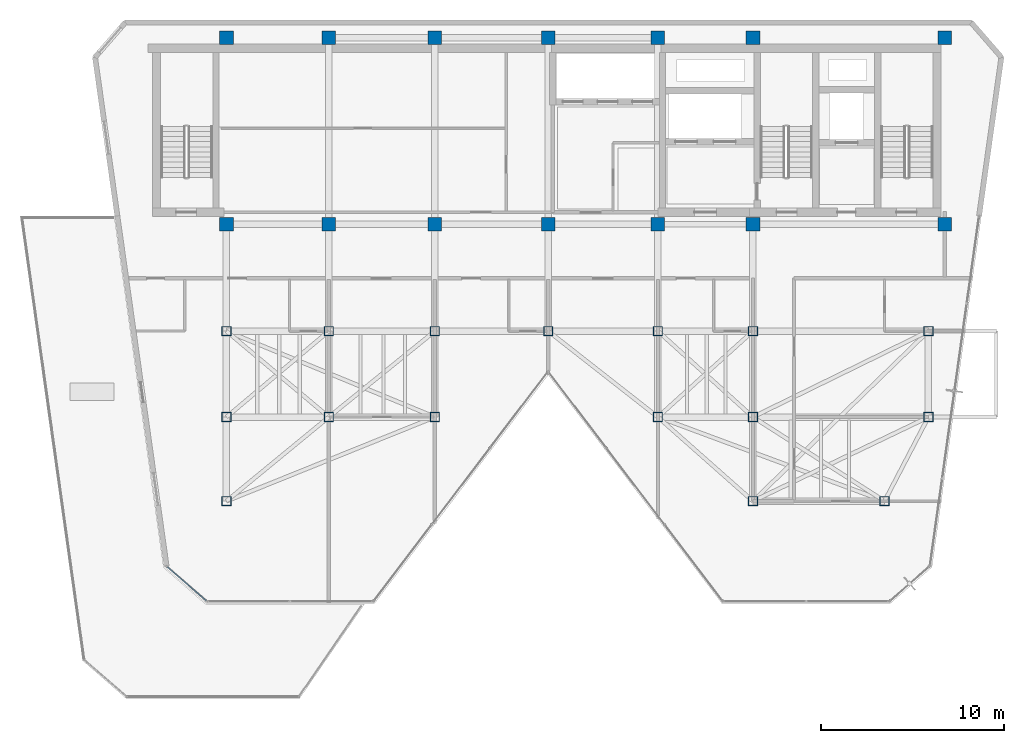
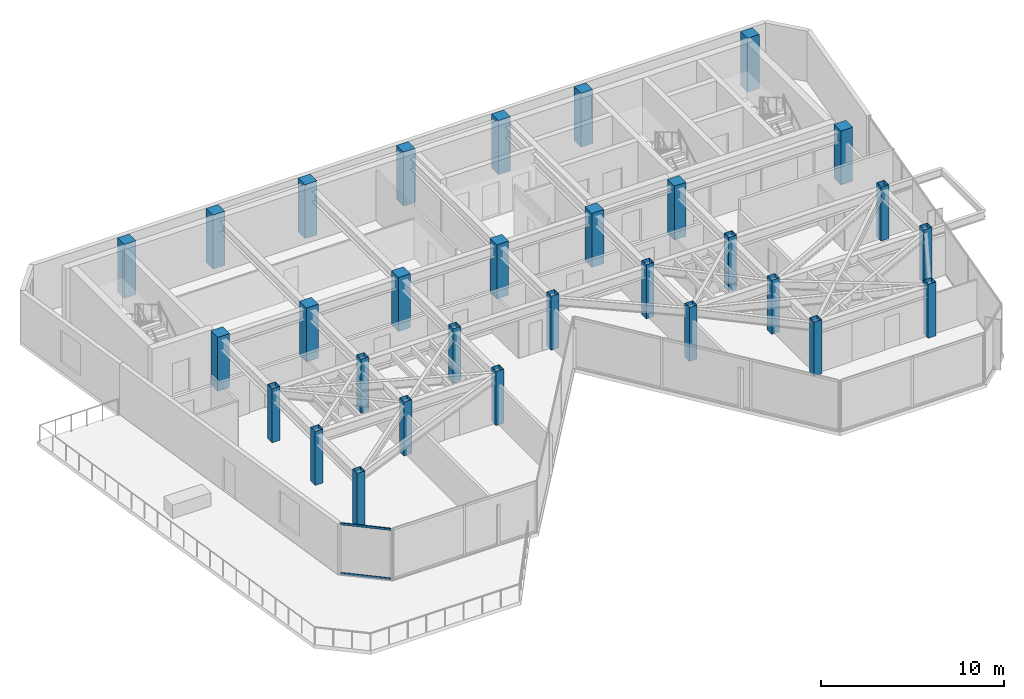
# One storey, part 1 of 21: 30 columns, 2 members, 1 element without a shape of its own.
"""IFC4 building model written with IfcOpenShell, lengths in metres."""

from ifc_helpers import new_model, si_unit, direction, frame, origin, origin_2d, place, context, subcontext, project, spatial, rectangle, hollow_rectangle, extrude, material, layer, layer_set, material_profile, profile_set, type_object, element, aggregate, save


model = new_model("IFC4")

# Units and contexts
model_context = context("Model", 3, precision=1e-05, world=origin(), true_north=direction((0.0, 1.0)))
body_context = subcontext(model_context, "Body", "Model", "MODEL_VIEW")
ifc_project = project(units=[si_unit("LENGTHUNIT", "METRE"), si_unit("AREAUNIT", "SQUARE_METRE"), si_unit("VOLUMEUNIT", "CUBIC_METRE"), si_unit("PLANEANGLEUNIT", "RADIAN"), si_unit("MASSUNIT", "GRAM", prefix="KILO")], contexts=[model_context])

# Site, building, storey
site_placement = place(None, origin())
site = spatial("IfcSite", under=ifc_project, at=site_placement, CompositionType="ELEMENT")
building_placement = place(site_placement, origin())
building = spatial("IfcBuilding", under=site, at=building_placement, Name="Kravanh Interchange Tower", CompositionType="ELEMENT")
storey_placement = place(building_placement, frame((0.0, 0.0, 231.0)))
storey = spatial("IfcBuildingStorey", under=building, at=storey_placement, Name="L55", CompositionType="ELEMENT", Elevation=231.0)

# Columns
ifc_material_1 = material(Name="Structural Steel S355", Category="steel")
ifc_material_profile_1 = material_profile(ifc_material_1, hollow_rectangle(XDim=0.5, YDim=0.5, WallThickness=0.02001953125, at=origin_2d()), Name="HSS500X500X20")
ifc_profile_set_1 = profile_set([ifc_material_profile_1], Name="Structural Steel S355")
column_type_1 = type_object("IfcColumnType", Name="Column HSS500X500X20 Structural Steel S355", PredefinedType="COLUMN", material=ifc_profile_set_1)
for number, where, z_axis, x_axis, name in (
    (1, (44.800048828125, 31.5, 0.0), (0.0, 0.0, 1.0), (1.0, 0.0, 0.0), "L55 Column CH_E1"),
    (2, (50.800048828125, 31.5, 0.0), (0.0, 0.0, 1.0), (1.0, 0.0, 0.0), "L55 Column CH_E2"),
    (3, (56.0, 31.5, 0.0), (0.0, 0.0, 1.0), (1.0, 0.0, 0.0), "L55 Column CH_E3"),
    (4, (65.60009765625, 31.5, 0.0), (0.0, 0.0, 1.0), (1.0, 0.0, 0.0), "L55 Column CH_E4"),
    (5, (38.60009765625, 31.5, 0.0), (0.0, 0.0, 1.0), (1.0, 0.0, 0.0), "L55 Column CH_E5"),
    (6, (32.800048828125, 31.5, 0.0), (0.0, 0.0, 1.0), (1.0, 0.0, 0.0), "L55 Column CH_E6"),
    (7, (27.199951171875, 31.5, 0.0), (0.0, 0.0, 1.0), (1.0, 0.0, 0.0), "L55 Column CH_E7"),
    (8, (38.60009765625, 26.800048828125, 0.0), (0.0, 0.0, 1.0), (1.0, 0.0, 0.0), "L55 Column CH_S1"),
    (9, (50.800048828125, 26.800048828125, 0.0), (0.0, 0.0, 1.0), (1.0, 0.0, 0.0), "L55 Column CH_S2"),
    (10, (56.0, 26.800048828125, 0.0), (0.0, 0.0, 1.0), (1.0, 0.0, 0.0), "L55 Column CH_S3"),
    (11, (65.60009765625, 26.800048828125, 0.0), (0.0, 0.0, 1.0), (1.0, 0.0, 0.0), "L55 Column CH_S4"),
    (12, (56.0, 22.199951171875, 0.0), (0.0, 0.0, 1.0), (1.0, 0.0, 0.0), "L55 Column CH_S5"),
    (13, (63.199951171875, 22.199951171875, 0.0), (0.0, 0.0, 1.0), (1.0, 0.0, 0.0), "L55 Column CH_S6"),
    (14, (27.199951171875, 22.199951171875, 0.0), (0.0, 0.0, 1.0), (1.0, 0.0, 0.0), "L55 Column CH_W1"),
    (15, (27.199951171875, 26.800048828125, 0.0), (0.0, 0.0, 1.0), (1.0, 0.0, 0.0), "L55 Column CH_W1B"),
    (16, (32.800048828125, 26.800048828125, 0.0), (0.0, 0.0, 1.0), (1.0, 0.0, 0.0), "L55 Column CH_W3"),
):
    element("IfcColumn", number, at=place(storey_placement, frame(where, z_axis=z_axis, x_axis=x_axis)), inside=storey, type_object=column_type_1, Name=name, PredefinedType="COLUMN", context=body_context, shape_type="SweptSolid", body=[
        extrude(hollow_rectangle(XDim=0.5, YDim=0.5, WallThickness=0.02001953125, at=origin_2d()), origin(), (0.0, 0.0, 1.0), 3.60009765625),
    ])
ifc_material_2 = material(Name="Concrete C60/75", Category="concrete")
ifc_material_profile_2 = material_profile(ifc_material_2, rectangle(XDim=0.75, YDim=0.75, at=origin_2d()), Name="RC750X750")
ifc_profile_set_2 = profile_set([ifc_material_profile_2], Name="Concrete C60/75")
column_type_2 = type_object("IfcColumnType", Name="Column RC750X750 Concrete C60/75", PredefinedType="COLUMN", material=ifc_profile_set_2)
for number, where, z_axis, x_axis, name in (
    (17, (66.5, 47.550048828125, 0.0), (0.0, 0.0, 1.0), (1.0, 0.0, 0.0), "L55 Column CS01"),
    (18, (56.0, 47.550048828125, 0.0), (0.0, 0.0, 1.0), (1.0, 0.0, 0.0), "L55 Column CS02"),
    (19, (66.5, 37.35009765625, 0.0), (0.0, 0.0, 1.0), (1.0, 0.0, 0.0), "L55 Column CS03"),
    (20, (56.0, 37.35009765625, 0.0), (0.0, 0.0, 1.0), (1.0, 0.0, 0.0), "L55 Column CS04"),
    (21, (50.800048828125, 47.550048828125, 0.0), (0.0, 0.0, 1.0), (1.0, 0.0, 0.0), "L55 Column CS05"),
    (22, (50.800048828125, 37.35009765625, 0.0), (0.0, 0.0, 1.0), (1.0, 0.0, 0.0), "L55 Column CS06"),
    (23, (44.800048828125, 37.35009765625, 0.0), (0.0, 0.0, 1.0), (1.0, 0.0, 0.0), "L55 Column CS07"),
    (24, (44.800048828125, 47.550048828125, 0.0), (0.0, 0.0, 1.0), (1.0, 0.0, 0.0), "L55 Column CS08"),
    (25, (38.60009765625, 37.35009765625, 0.0), (0.0, 0.0, 1.0), (1.0, 0.0, 0.0), "L55 Column CS09"),
    (26, (38.60009765625, 47.550048828125, 0.0), (0.0, 0.0, 1.0), (1.0, 0.0, 0.0), "L55 Column CS10"),
    (27, (32.800048828125, 37.35009765625, 0.0), (0.0, 0.0, 1.0), (1.0, 0.0, 0.0), "L55 Column CS11"),
    (28, (32.800048828125, 47.550048828125, 0.0), (0.0, 0.0, 1.0), (1.0, 0.0, 0.0), "L55 Column CS12"),
    (29, (27.199951171875, 37.35009765625, 0.0), (0.0, 0.0, 1.0), (1.0, 0.0, 0.0), "L55 Column CS13"),
    (30, (27.199951171875, 47.550048828125, 0.0), (0.0, 0.0, 1.0), (1.0, 0.0, 0.0), "L55 Column CS14"),
):
    element("IfcColumn", number, at=place(storey_placement, frame(where, z_axis=z_axis, x_axis=x_axis)), inside=storey, type_object=column_type_2, Name=name, PredefinedType="COLUMN", context=body_context, shape_type="SweptSolid", body=[
        extrude(rectangle(XDim=0.75, YDim=0.75, at=origin_2d()), origin(), (0.0, 0.0, 1.0), 3.60009765625),
    ])

# Curtain wall, members
ifc_material_3 = material(Name="Anodised Bronze Aluminium", Category="aluminium")
ifc_layer = layer(ifc_material_3, 0.179931640625)
ifc_layer_set = layer_set([ifc_layer], Name="Unitised Curtain Wall System CW-HTL Luxury Hotel")
curtain_wall_type = type_object("IfcCurtainWallType", Name="Unitised Curtain Wall System CW-HTL Luxury Hotel", PredefinedType="NOTDEFINED", material=ifc_layer_set)
curtain_wall_placement = place(storey_placement, origin())
curtain_wall = element("IfcCurtainWall", 31, at=curtain_wall_placement, inside=storey, type_object=curtain_wall_type, Name="L55 Unitised Curtain Wall CW-L55-07", PredefinedType="NOTDEFINED")
ifc_material_4 = material(Name="Anodised Bronze Aluminium", Category="aluminium")
ifc_material_profile_3 = material_profile(ifc_material_4, hollow_rectangle(XDim=0.06005859375, YDim=0.139892578125, WallThickness=0.00390625, at=origin_2d()), Name="ALU60X140X4")
ifc_profile_set_3 = profile_set([ifc_material_profile_3], Name="Anodised Bronze Aluminium")
member_type = type_object("IfcMemberType", Name="Curtain Wall Transom ALU60X140X4 Bronze", PredefinedType="USERDEFINED", material=ifc_profile_set_3)
member_1_placement = place(storey_placement, frame((26.0830078125, 16.75927734375, 0.030029296875), z_axis=(-0.754704676026, 0.656064670581, 0.0), x_axis=(-0.656064670581, -0.754704676026, 0.0)))
member_1 = element("IfcMember", 32, at=member_1_placement, type_object=member_type, Name="CW-HTL transom 1.1", ObjectType="TRANSOM", PredefinedType="USERDEFINED", context=body_context, shape_type="SweptSolid", body=[
    extrude(hollow_rectangle(XDim=0.06005859375, YDim=0.139892578125, WallThickness=0.00390625, at=origin_2d()), origin(), (0.0, 0.0, 1.0), 2.80908203125),
])
member_2_placement = place(storey_placement, frame((26.0830078125, 16.75927734375, 3.330078125), z_axis=(-0.754704676026, 0.656064670581, 0.0), x_axis=(-0.656064670581, -0.754704676026, 0.0)))
member_2 = element("IfcMember", 33, at=member_2_placement, type_object=member_type, Name="CW-HTL transom 1.2", ObjectType="TRANSOM", PredefinedType="USERDEFINED", context=body_context, shape_type="SweptSolid", body=[
    extrude(hollow_rectangle(XDim=0.06005859375, YDim=0.139892578125, WallThickness=0.00390625, at=origin_2d()), origin(), (0.0, 0.0, 1.0), 2.80908203125),
])
aggregate(curtain_wall, [member_1, member_2])

save(model, "model.ifc")
